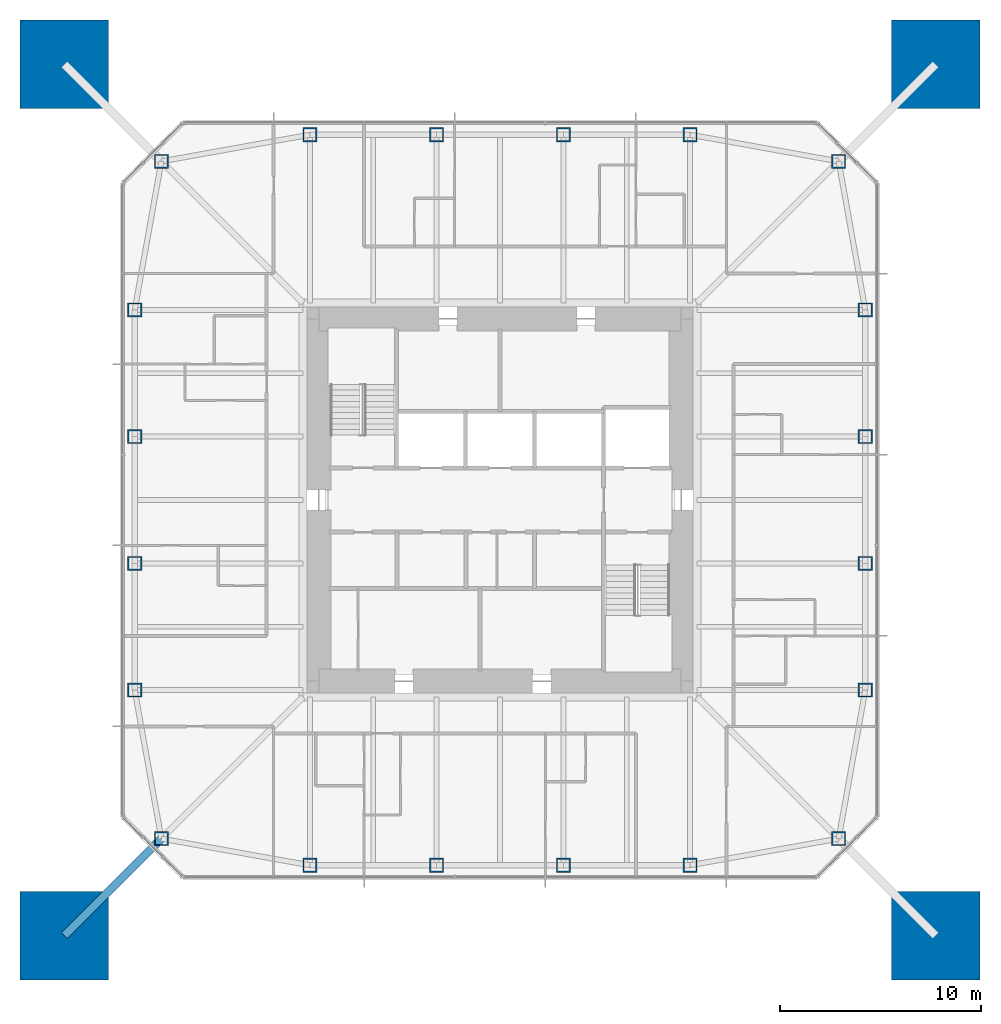
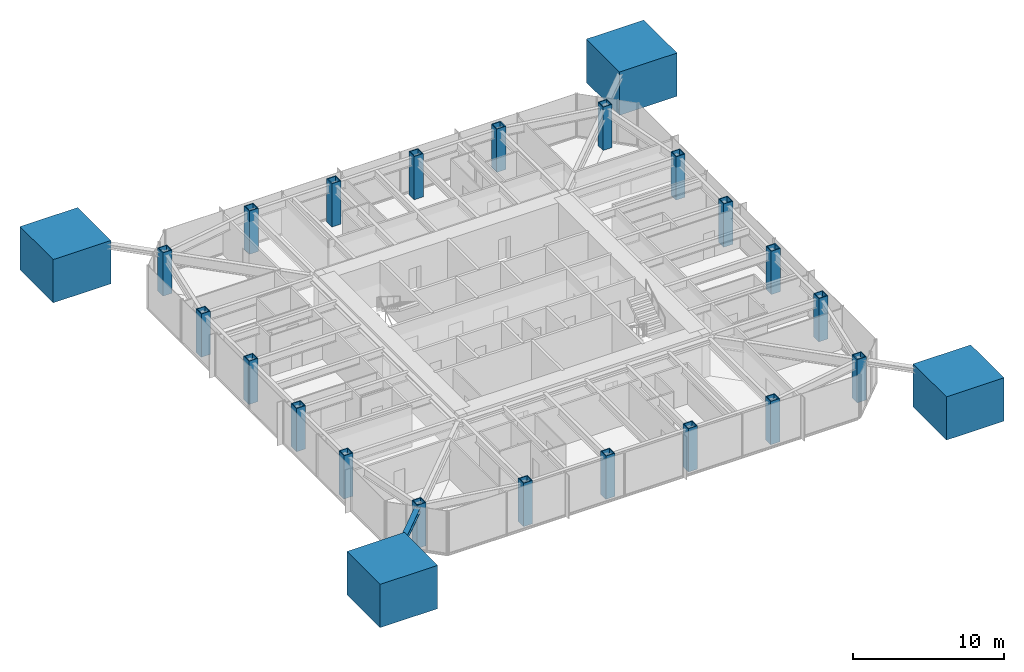
# One storey, part 1 of 11: 24 columns, 1 member.
"""IFC4 building model written with IfcOpenShell, lengths in metres."""

from ifc_helpers import new_model, si_unit, direction, frame, origin, origin_2d, place, context, subcontext, project, spatial, rectangle, hollow_rectangle, i_section, extrude, material, material_profile, profile_set, type_object, element, save


model = new_model("IFC4")

# Units and contexts
model_context = context("Model", 3, precision=1e-05, world=origin(), true_north=direction((0.0, 1.0)))
body_context = subcontext(model_context, "Body", "Model", "MODEL_VIEW")
ifc_project = project(units=[si_unit("LENGTHUNIT", "METRE"), si_unit("AREAUNIT", "SQUARE_METRE"), si_unit("VOLUMEUNIT", "CUBIC_METRE"), si_unit("PLANEANGLEUNIT", "RADIAN"), si_unit("MASSUNIT", "GRAM", prefix="KILO")], contexts=[model_context])

# Site, building, storey
site_placement = place(None, origin())
site = spatial("IfcSite", under=ifc_project, at=site_placement, CompositionType="ELEMENT")
building_placement = place(site_placement, origin())
building = spatial("IfcBuilding", under=site, at=building_placement, Name="Iwan Alto Co-Living Towers", CompositionType="ELEMENT")
storey_placement = place(building_placement, frame((0.0, 0.0, 174.0)))
storey = spatial("IfcBuildingStorey", under=building, at=storey_placement, Name="L47", CompositionType="ELEMENT", Elevation=174.0)

# Columns
ifc_material_1 = material(Name="Concrete f'c 70 MPa", Category="concrete")
ifc_material_profile_1 = material_profile(ifc_material_1, rectangle(XDim=4.39990234375, YDim=4.39990234375, at=origin_2d()), Name="RC 4400X4400")
ifc_profile_set_1 = profile_set([ifc_material_profile_1], Name="Concrete f'c 70 MPa")
column_type_1 = type_object("IfcColumnType", Name="T1 MEGA COLUMN RC 4400X4400", PredefinedType="COLUMN", material=ifc_profile_set_1)
for number, where, z_axis, x_axis, name in (
    (1, (-21.64990234375, -21.64990234375, 0.0), (0.0, 0.0, 1.0), (1.0, 0.0, 0.0), "T1 mega column SW L47"),
    (2, (21.64990234375, -21.64990234375, 0.0), (0.0, 0.0, 1.0), (1.0, 0.0, 0.0), "T1 mega column SE L47"),
    (3, (21.64990234375, 21.64990234375, 0.0), (0.0, 0.0, 1.0), (1.0, 0.0, 0.0), "T1 mega column NE L47"),
    (4, (-21.64990234375, 21.64990234375, 0.0), (0.0, 0.0, 1.0), (1.0, 0.0, 0.0), "T1 mega column NW L47"),
):
    element("IfcColumn", number, at=place(storey_placement, frame(where, z_axis=z_axis, x_axis=x_axis)), inside=storey, type_object=column_type_1, Name=name, PredefinedType="COLUMN", context=body_context, shape_type="SweptSolid", body=[
        extrude(rectangle(XDim=4.39990234375, YDim=4.39990234375, at=origin_2d()), origin(), (0.0, 0.0, 1.0), 3.5),
        extrude(i_section(OverallWidth=0.4775390625, OverallDepth=0.599365234375, WebThickness=0.10009765625, FlangeThickness=0.139892578125, at=origin_2d()), origin(), (0.0, 0.0, 1.0), 3.5),
    ])
ifc_material_2 = material(Name="Steel ASTM A572 Gr 50", Category="steel")
ifc_material_profile_2 = material_profile(ifc_material_2, hollow_rectangle(XDim=0.699951171875, YDim=0.699951171875, WallThickness=0.06005859375, at=origin_2d()), Name="BOX 700X700X60")
ifc_profile_set_2 = profile_set([ifc_material_profile_2], Name="Steel ASTM A572 Gr 50")
column_type_2 = type_object("IfcColumnType", Name="T1 RING COLUMN BOX 700X700X60", PredefinedType="COLUMN", material=ifc_profile_set_2)
for number, where, z_axis, x_axis, name in (
    (5, (-16.82568359375, -16.82568359375, 0.0), (0.0, 0.0, 1.0), (1.0, 0.0, 0.0), "T1 ring column CSW L47"),
    (6, (-9.449951171875, -18.14990234375, 0.0), (0.0, 0.0, 1.0), (1.0, 0.0, 0.0), "T1 ring column S1 L47"),
    (7, (-3.14990234375, -18.14990234375, 0.0), (0.0, 0.0, 1.0), (1.0, 0.0, 0.0), "T1 ring column S2 L47"),
    (8, (3.14990234375, -18.14990234375, 0.0), (0.0, 0.0, 1.0), (1.0, 0.0, 0.0), "T1 ring column S3 L47"),
    (9, (9.449951171875, -18.14990234375, 0.0), (0.0, 0.0, 1.0), (1.0, 0.0, 0.0), "T1 ring column S4 L47"),
    (10, (16.82568359375, -16.82568359375, 0.0), (0.0, 0.0, 1.0), (1.0, 0.0, 0.0), "T1 ring column CSE L47"),
    (11, (18.14990234375, -9.449951171875, 0.0), (0.0, 0.0, 1.0), (1.0, 0.0, 0.0), "T1 ring column E1 L47"),
    (12, (18.14990234375, -3.14990234375, 0.0), (0.0, 0.0, 1.0), (1.0, 0.0, 0.0), "T1 ring column E2 L47"),
    (13, (18.14990234375, 3.14990234375, 0.0), (0.0, 0.0, 1.0), (1.0, 0.0, 0.0), "T1 ring column E3 L47"),
    (14, (18.14990234375, 9.449951171875, 0.0), (0.0, 0.0, 1.0), (1.0, 0.0, 0.0), "T1 ring column E4 L47"),
    (15, (16.82568359375, 16.82568359375, 0.0), (0.0, 0.0, 1.0), (1.0, 0.0, 0.0), "T1 ring column CNE L47"),
    (16, (9.449951171875, 18.14990234375, 0.0), (0.0, 0.0, 1.0), (1.0, 0.0, 0.0), "T1 ring column N1 L47"),
    (17, (3.14990234375, 18.14990234375, 0.0), (0.0, 0.0, 1.0), (1.0, 0.0, 0.0), "T1 ring column N2 L47"),
    (18, (-3.14990234375, 18.14990234375, 0.0), (0.0, 0.0, 1.0), (1.0, 0.0, 0.0), "T1 ring column N3 L47"),
    (19, (-9.449951171875, 18.14990234375, 0.0), (0.0, 0.0, 1.0), (1.0, 0.0, 0.0), "T1 ring column N4 L47"),
    (20, (-16.82568359375, 16.82568359375, 0.0), (0.0, 0.0, 1.0), (1.0, 0.0, 0.0), "T1 ring column CNW L47"),
    (21, (-18.14990234375, 9.449951171875, 0.0), (0.0, 0.0, 1.0), (1.0, 0.0, 0.0), "T1 ring column W1 L47"),
    (22, (-18.14990234375, 3.14990234375, 0.0), (0.0, 0.0, 1.0), (1.0, 0.0, 0.0), "T1 ring column W2 L47"),
    (23, (-18.14990234375, -3.14990234375, 0.0), (0.0, 0.0, 1.0), (1.0, 0.0, 0.0), "T1 ring column W3 L47"),
    (24, (-18.14990234375, -9.449951171875, 0.0), (0.0, 0.0, 1.0), (1.0, 0.0, 0.0), "T1 ring column W4 L47"),
):
    element("IfcColumn", number, at=place(storey_placement, frame(where, z_axis=z_axis, x_axis=x_axis)), inside=storey, type_object=column_type_2, Name=name, PredefinedType="COLUMN", context=body_context, shape_type="SweptSolid", body=[
        extrude(hollow_rectangle(XDim=0.699951171875, YDim=0.699951171875, WallThickness=0.06005859375, at=origin_2d()), origin(), (0.0, 0.0, 1.0), 3.5),
    ])

# Member
ifc_material_3 = material(Name="Steel ASTM A992 Gr 50", Category="steel")
ifc_material_profile_3 = material_profile(ifc_material_3, i_section(OverallWidth=0.393798828125, OverallDepth=0.3759765625, WebThickness=0.017333984375, FlangeThickness=0.027587890625, at=origin_2d()), Name="W14X145")
ifc_profile_set_3 = profile_set([ifc_material_profile_3], Name="Steel ASTM A992 Gr 50")
member_type = type_object("IfcMemberType", Name="T1 MEGA COLUMN FLOOR TIE W14X145", PredefinedType="STRUT", material=ifc_profile_set_3)
member_placement = place(storey_placement, frame((-21.64990234375, -21.64990234375, 3.08203125), z_axis=(0.707106781187, 0.707106781187, 0.0), x_axis=(-0.707106781187, 0.707106781187, 0.0)))
element("IfcMember", 25, at=member_placement, inside=storey, type_object=member_type, Name="T1 mega column floor tie SW L48", PredefinedType="STRUT", context=body_context, shape_type="SweptSolid", body=[
    extrude(i_section(OverallWidth=0.393798828125, OverallDepth=0.3759765625, WebThickness=0.017333984375, FlangeThickness=0.027587890625, at=origin_2d()), origin(), (0.0, 0.0, 1.0), 6.822509765625),
])

save(model, "model.ifc")
